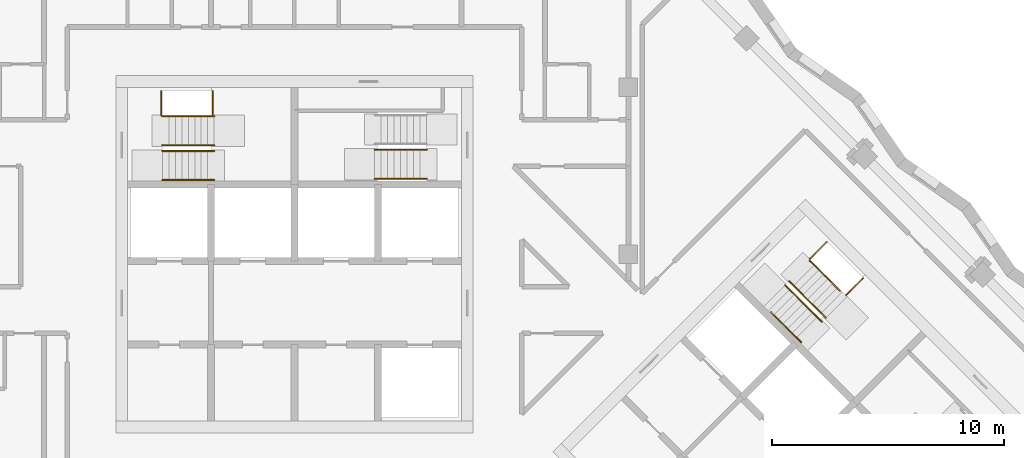
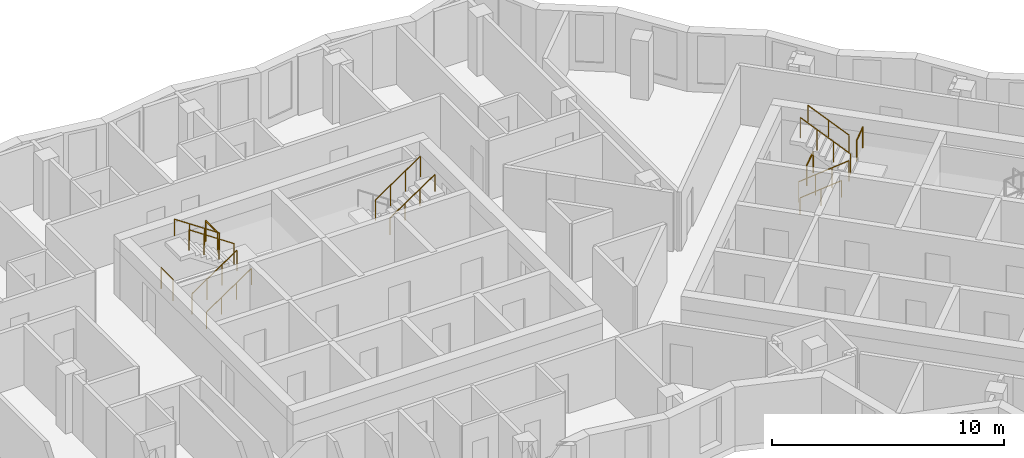
# One storey, part 11 of 13: 14 railings.
"""IFC4 building model written with IfcOpenShell, lengths in metres."""

from ifc_helpers import new_model, si_unit, direction, frame, origin, origin_2d, place, context, subcontext, project, spatial, circle, extrude, material, type_object, element, save


model = new_model("IFC4")

# Units and contexts
model_context = context("Model", 3, precision=1e-05, world=origin(), true_north=direction((0.0, 1.0)))
body_context = subcontext(model_context, "Body", "Model", "MODEL_VIEW")
ifc_project = project(units=[si_unit("LENGTHUNIT", "METRE"), si_unit("AREAUNIT", "SQUARE_METRE"), si_unit("VOLUMEUNIT", "CUBIC_METRE"), si_unit("PLANEANGLEUNIT", "RADIAN"), si_unit("MASSUNIT", "GRAM", prefix="KILO")], contexts=[model_context])

# Site, building, storey
site_placement = place(None, origin())
site = spatial("IfcSite", under=ifc_project, at=site_placement, CompositionType="ELEMENT")
building_placement = place(site_placement, origin())
building = spatial("IfcBuilding", under=site, at=building_placement, Name="Windrow Commons", CompositionType="ELEMENT")
storey_placement = place(building_placement, frame((0.0, 0.0, 223.6)))
storey = spatial("IfcBuildingStorey", under=building, at=storey_placement, Name="L61", CompositionType="ELEMENT", Elevation=223.6)

# Railings
ifc_material_1 = material(Name="Steel S355", Category="steel")
railing_type_1 = type_object("IfcRailingType", Name="Core stair guard 1100", PredefinedType="GUARDRAIL", material=ifc_material_1)
railing_1_placement = place(storey_placement, frame((59.1, 62.05, 0.1889)))
element("IfcRailing", 1, at=railing_1_placement, inside=storey, type_object=railing_type_1, Name="L61 ST-A1 stair guard 1", PredefinedType="GUARDRAIL", context=body_context, shape_type="SweptSolid", body=[
    extrude(circle(Radius=0.024, at=origin_2d()), frame((0.0, 0.0, 1.076), z_axis=(0.8290030985, 0.0, 0.5592440099), x_axis=(0.0, 1.0, 0.0)), (0.0, 0.0, 1.0), 2.702),
    extrude(circle(Radius=0.021, at=origin_2d()), origin(), (0.0, 0.0, 1.0), 1.052),
    extrude(circle(Radius=0.021, at=origin_2d()), frame((0.7467, 0.0, 0.5037)), (0.0, 0.0, 1.0), 1.052),
    extrude(circle(Radius=0.021, at=origin_2d()), frame((1.4933, 0.0, 1.0074)), (0.0, 0.0, 1.0), 1.052),
    extrude(circle(Radius=0.021, at=origin_2d()), frame((2.24, 0.0, 1.5111)), (0.0, 0.0, 1.0), 1.052),
])
railing_2_placement = place(storey_placement, frame((61.34, 62.3, 1.8889)))
element("IfcRailing", 2, at=railing_2_placement, inside=storey, type_object=railing_type_1, Name="L61 ST-A1 stair guard 2", PredefinedType="GUARDRAIL", context=body_context, shape_type="SweptSolid", body=[
    extrude(circle(Radius=0.024, at=origin_2d()), frame((0.0, 0.0, 1.076), z_axis=(-0.8290030985, 0.0, 0.5592440099), x_axis=(0.0, -1.0, 0.0)), (0.0, 0.0, 1.0), 2.702),
    extrude(circle(Radius=0.021, at=origin_2d()), origin(), (0.0, 0.0, 1.0), 1.052),
    extrude(circle(Radius=0.021, at=origin_2d()), frame((-0.7467, 0.0, 0.5037)), (0.0, 0.0, 1.0), 1.052),
    extrude(circle(Radius=0.021, at=origin_2d()), frame((-1.4933, 0.0, 1.0074)), (0.0, 0.0, 1.0), 1.052),
    extrude(circle(Radius=0.021, at=origin_2d()), frame((-2.24, 0.0, 1.5111)), (0.0, 0.0, 1.0), 1.052),
])
for number, where, name in (
    (3, (59.05, 63.6, 0.0), "L61 ST-A1 stair guard 3"),
    (4, (61.27, 63.6, 1.7), "L61 ST-A1 stair guard 4"),
):
    element("IfcRailing", number, at=place(storey_placement, frame(where)), inside=storey, type_object=railing_type_1, Name=name, PredefinedType="GUARDRAIL", context=body_context, shape_type="SweptSolid", body=[
        extrude(circle(Radius=0.024, at=origin_2d()), frame((0.0, 0.0, 1.076), z_axis=(0.0, 1.0, 0.0), x_axis=(-1.0, 0.0, 0.0)), (0.0, 0.0, 1.0), 1.03),
        extrude(circle(Radius=0.021, at=origin_2d()), origin(), (0.0, 0.0, 1.0), 1.052),
        extrude(circle(Radius=0.021, at=origin_2d()), frame((0.0, 1.03, 0.0)), (0.0, 0.0, 1.0), 1.052),
    ])
railing_3_placement = place(storey_placement, frame((68.26, 62.105, 1.8889)))
element("IfcRailing", 5, at=railing_3_placement, inside=storey, type_object=railing_type_1, Name="L61 ST-A2 stair guard 2", PredefinedType="GUARDRAIL", context=body_context, shape_type="SweptSolid", body=[
    extrude(circle(Radius=0.024, at=origin_2d()), frame((0.0, 0.0, 1.076), z_axis=(0.8290030985, 0.0, 0.5592440099), x_axis=(0.0, 1.0, 0.0)), (0.0, 0.0, 1.0), 2.702),
    extrude(circle(Radius=0.021, at=origin_2d()), origin(), (0.0, 0.0, 1.0), 1.052),
    extrude(circle(Radius=0.021, at=origin_2d()), frame((0.7467, 0.0, 0.5037)), (0.0, 0.0, 1.0), 1.052),
    extrude(circle(Radius=0.021, at=origin_2d()), frame((1.4933, 0.0, 1.0074)), (0.0, 0.0, 1.0), 1.052),
    extrude(circle(Radius=0.021, at=origin_2d()), frame((2.24, 0.0, 1.5111)), (0.0, 0.0, 1.0), 1.052),
])
railing_4_placement = place(storey_placement, frame((85.9529, 56.2669, 0.1889)))
element("IfcRailing", 6, at=railing_4_placement, inside=storey, type_object=railing_type_1, Name="L61 ST-B1 stair guard 1", PredefinedType="GUARDRAIL", context=body_context, shape_type="SweptSolid", body=[
    extrude(circle(Radius=0.024, at=origin_2d()), frame((0.0, 0.0, 1.076), z_axis=(0.5861914914, -0.5861914914, 0.5592486664), x_axis=(0.7071067812, 0.7071067812, 0.0)), (0.0, 0.0, 1.0), 2.702),
    extrude(circle(Radius=0.021, at=origin_2d()), origin(), (0.0, 0.0, 1.0), 1.052),
    extrude(circle(Radius=0.021, at=origin_2d()), frame((0.528, -0.528, 0.5037)), (0.0, 0.0, 1.0), 1.052),
    extrude(circle(Radius=0.021, at=origin_2d()), frame((1.0559, -1.0559, 1.0074)), (0.0, 0.0, 1.0), 1.052),
    extrude(circle(Radius=0.021, at=origin_2d()), frame((1.5839, -1.5839, 1.5111)), (0.0, 0.0, 1.0), 1.052),
])
railing_5_placement = place(storey_placement, frame((87.7136, 54.8597, 1.8889)))
element("IfcRailing", 7, at=railing_5_placement, inside=storey, type_object=railing_type_1, Name="L61 ST-B1 stair guard 2", PredefinedType="GUARDRAIL", context=body_context, shape_type="SweptSolid", body=[
    extrude(circle(Radius=0.024, at=origin_2d()), frame((0.0, 0.0, 1.076), z_axis=(-0.5862030657, 0.5862030657, 0.5592244018), x_axis=(-0.7071067812, -0.7071067812, 0.0)), (0.0, 0.0, 1.0), 2.7021),
    extrude(circle(Radius=0.021, at=origin_2d()), origin(), (0.0, 0.0, 1.0), 1.052),
    extrude(circle(Radius=0.021, at=origin_2d()), frame((-0.528, 0.528, 0.5037)), (0.0, 0.0, 1.0), 1.052),
    extrude(circle(Radius=0.021, at=origin_2d()), frame((-1.056, 1.056, 1.0074)), (0.0, 0.0, 1.0), 1.052),
    extrude(circle(Radius=0.021, at=origin_2d()), frame((-1.584, 1.584, 1.5111)), (0.0, 0.0, 1.0), 1.052),
])
railing_6_placement = place(storey_placement, frame((87.0135, 57.3982, 0.0)))
element("IfcRailing", 8, at=railing_6_placement, inside=storey, type_object=railing_type_1, Name="L61 ST-B1 stair guard 3", PredefinedType="GUARDRAIL", context=body_context, shape_type="SweptSolid", body=[
    extrude(circle(Radius=0.024, at=origin_2d()), frame((0.0, 0.0, 1.076), z_axis=(0.7070582378, 0.7071553212, 0.0), x_axis=(-0.7071553212, 0.7070582378, 0.0)), (0.0, 0.0, 1.0), 1.03),
    extrude(circle(Radius=0.021, at=origin_2d()), origin(), (0.0, 0.0, 1.0), 1.052),
    extrude(circle(Radius=0.021, at=origin_2d()), frame((0.7283, 0.7284, 0.0)), (0.0, 0.0, 1.0), 1.052),
])
railing_7_placement = place(storey_placement, frame((88.5833, 55.8285, 1.7)))
element("IfcRailing", 9, at=railing_7_placement, inside=storey, type_object=railing_type_1, Name="L61 ST-B1 stair guard 4", PredefinedType="GUARDRAIL", context=body_context, shape_type="SweptSolid", body=[
    extrude(circle(Radius=0.024, at=origin_2d()), frame((0.0, 0.0, 1.076), z_axis=(0.7071067812, 0.7071067812, 0.0), x_axis=(-0.7071067812, 0.7071067812, 0.0)), (0.0, 0.0, 1.0), 1.03),
    extrude(circle(Radius=0.021, at=origin_2d()), origin(), (0.0, 0.0, 1.0), 1.052),
    extrude(circle(Radius=0.021, at=origin_2d()), frame((0.7283, 0.7283, 0.0)), (0.0, 0.0, 1.0), 1.052),
])
ifc_material_2 = material(Name="Steel S355", Category="steel")
railing_type_2 = type_object("IfcRailingType", Name="Core stair handrail 900", PredefinedType="HANDRAIL", material=ifc_material_2)
railing_8_placement = place(storey_placement, frame((59.1, 60.8, 0.1889)))
element("IfcRailing", 10, at=railing_8_placement, inside=storey, type_object=railing_type_2, Name="L61 ST-A1 stair handrail 1", PredefinedType="HANDRAIL", context=body_context, shape_type="SweptSolid", body=[
    extrude(circle(Radius=0.024, at=origin_2d()), frame((0.0, 0.0, 0.876), z_axis=(0.8290030985, 0.0, 0.5592440099), x_axis=(0.0, 1.0, 0.0)), (0.0, 0.0, 1.0), 2.702),
    extrude(circle(Radius=0.021, at=origin_2d()), origin(), (0.0, 0.0, 1.0), 0.852),
    extrude(circle(Radius=0.021, at=origin_2d()), frame((0.7467, 0.0, 0.5037)), (0.0, 0.0, 1.0), 0.852),
    extrude(circle(Radius=0.021, at=origin_2d()), frame((1.4933, 0.0, 1.0074)), (0.0, 0.0, 1.0), 0.852),
    extrude(circle(Radius=0.021, at=origin_2d()), frame((2.24, 0.0, 1.5111)), (0.0, 0.0, 1.0), 0.852),
])
railing_9_placement = place(storey_placement, frame((61.34, 63.55, 1.8889)))
element("IfcRailing", 11, at=railing_9_placement, inside=storey, type_object=railing_type_2, Name="L61 ST-A1 stair handrail 2", PredefinedType="HANDRAIL", context=body_context, shape_type="SweptSolid", body=[
    extrude(circle(Radius=0.024, at=origin_2d()), frame((0.0, 0.0, 0.876), z_axis=(-0.8290030985, 0.0, 0.5592440099), x_axis=(0.0, -1.0, 0.0)), (0.0, 0.0, 1.0), 2.702),
    extrude(circle(Radius=0.021, at=origin_2d()), origin(), (0.0, 0.0, 1.0), 0.852),
    extrude(circle(Radius=0.021, at=origin_2d()), frame((-0.7467, 0.0, 0.5037)), (0.0, 0.0, 1.0), 0.852),
    extrude(circle(Radius=0.021, at=origin_2d()), frame((-1.4933, 0.0, 1.0074)), (0.0, 0.0, 1.0), 0.852),
    extrude(circle(Radius=0.021, at=origin_2d()), frame((-2.24, 0.0, 1.5111)), (0.0, 0.0, 1.0), 0.852),
])
railing_10_placement = place(storey_placement, frame((68.26, 60.855, 1.8889)))
element("IfcRailing", 12, at=railing_10_placement, inside=storey, type_object=railing_type_2, Name="L61 ST-A2 stair handrail 2", PredefinedType="HANDRAIL", context=body_context, shape_type="SweptSolid", body=[
    extrude(circle(Radius=0.024, at=origin_2d()), frame((0.0, 0.0, 0.876), z_axis=(0.8290030985, 0.0, 0.5592440099), x_axis=(0.0, 1.0, 0.0)), (0.0, 0.0, 1.0), 2.702),
    extrude(circle(Radius=0.021, at=origin_2d()), origin(), (0.0, 0.0, 1.0), 0.852),
    extrude(circle(Radius=0.021, at=origin_2d()), frame((0.7467, 0.0, 0.5037)), (0.0, 0.0, 1.0), 0.852),
    extrude(circle(Radius=0.021, at=origin_2d()), frame((1.4933, 0.0, 1.0074)), (0.0, 0.0, 1.0), 0.852),
    extrude(circle(Radius=0.021, at=origin_2d()), frame((2.24, 0.0, 1.5111)), (0.0, 0.0, 1.0), 0.852),
])
railing_11_placement = place(storey_placement, frame((85.3518, 55.1001, 0.4587)))
element("IfcRailing", 13, at=railing_11_placement, inside=storey, type_object=railing_type_2, Name="L61 ST-B1 stair handrail 1", PredefinedType="HANDRAIL", context=body_context, shape_type="SweptSolid", body=[
    extrude(circle(Radius=0.024, at=origin_2d()), frame((0.0, 0.0, 0.876), z_axis=(0.586206706, -0.5861616513, 0.5592639952), x_axis=(0.7070796062, 0.7071339551, 0.0)), (0.0, 0.0, 1.0), 2.2195),
    extrude(circle(Radius=0.021, at=origin_2d()), origin(), (0.0, 0.0, 1.0), 0.852),
    extrude(circle(Radius=0.021, at=origin_2d()), frame((0.6506, -0.6505, 0.6207)), (0.0, 0.0, 1.0), 0.852),
    extrude(circle(Radius=0.021, at=origin_2d()), frame((1.3011, -1.301, 1.2413)), (0.0, 0.0, 1.0), 0.852),
])
railing_12_placement = place(storey_placement, frame((88.3146, 56.0265, 2.1587)))
element("IfcRailing", 14, at=railing_12_placement, inside=storey, type_object=railing_type_2, Name="L61 ST-B1 stair handrail 2", PredefinedType="HANDRAIL", context=body_context, shape_type="SweptSolid", body=[
    extrude(circle(Radius=0.024, at=origin_2d()), frame((0.0, 0.0, 0.876), z_axis=(-0.586206706, 0.5861616513, 0.5592639952), x_axis=(-0.7070796062, -0.7071339551, 0.0)), (0.0, 0.0, 1.0), 2.2195),
    extrude(circle(Radius=0.021, at=origin_2d()), origin(), (0.0, 0.0, 1.0), 0.852),
    extrude(circle(Radius=0.021, at=origin_2d()), frame((-0.6506, 0.6505, 0.6206)), (0.0, 0.0, 1.0), 0.852),
    extrude(circle(Radius=0.021, at=origin_2d()), frame((-1.3011, 1.301, 1.2413)), (0.0, 0.0, 1.0), 0.852),
])

save(model, "model.ifc")
